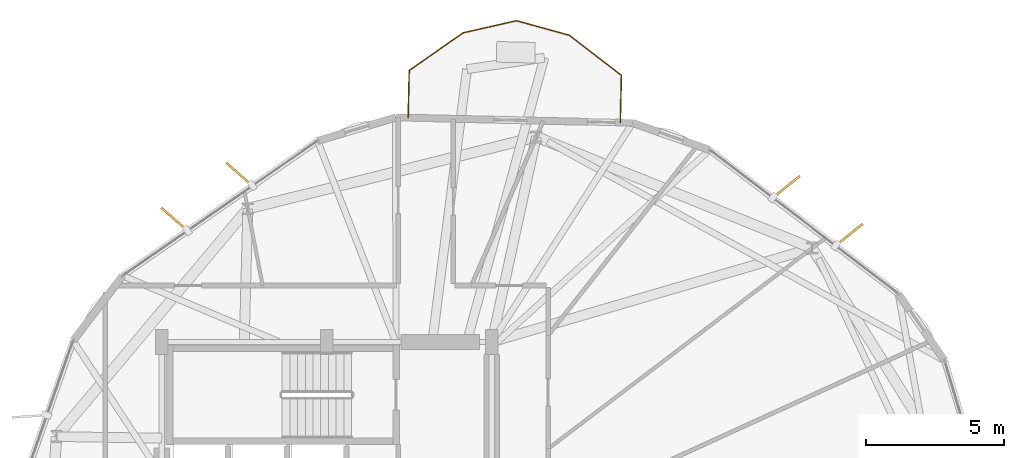
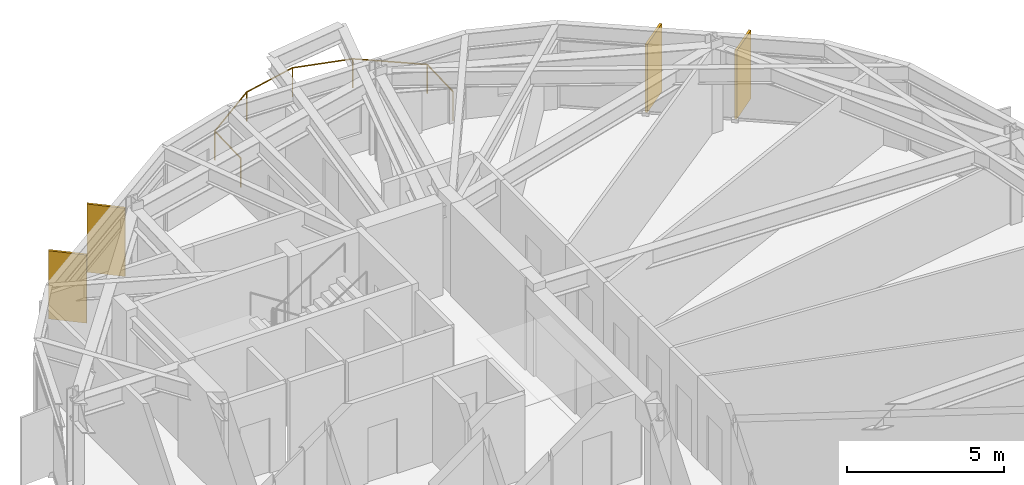
# One storey, part 22 of 22: 4 shading devices, 1 railing.
"""IFC4 building model written with IfcOpenShell, lengths in metres."""

from ifc_helpers import new_model, si_unit, direction, frame, origin, origin_2d, place, context, subcontext, project, spatial, rectangle, circle, extrude, material, layer, layer_set, type_object, element, save


model = new_model("IFC4")

# Units and contexts
model_context = context("Model", 3, precision=1e-05, world=origin(), true_north=direction((0.0, 1.0)))
body_context = subcontext(model_context, "Body", "Model", "MODEL_VIEW")
ifc_project = project(units=[si_unit("LENGTHUNIT", "METRE"), si_unit("AREAUNIT", "SQUARE_METRE"), si_unit("VOLUMEUNIT", "CUBIC_METRE"), si_unit("PLANEANGLEUNIT", "RADIAN"), si_unit("MASSUNIT", "GRAM", prefix="KILO")], contexts=[model_context])

# Site, building, storey
site_placement = place(None, origin())
site = spatial("IfcSite", under=ifc_project, at=site_placement, CompositionType="ELEMENT")
building_placement = place(site_placement, origin())
building = spatial("IfcBuilding", under=site, at=building_placement, Name="Soratama Intermodal Tower", CompositionType="ELEMENT")
storey_placement = place(building_placement, frame((0.0, 0.0, 160.60009765625)))
storey = spatial("IfcBuildingStorey", under=building, at=storey_placement, Name="L39", CompositionType="ELEMENT", Elevation=160.60009765625)

# Railing
ifc_material_1 = material(Name="Laminated glass and stainless steel balustrade", Category="steel")
railing_type = type_object("IfcRailingType", Name="RL-BAL-1150", PredefinedType="BALUSTRADE", material=ifc_material_1)
railing_placement = place(storey_placement, frame((41.556396484375, 43.151123046875, 0.0)))
element("IfcRailing", 1, at=railing_placement, inside=storey, type_object=railing_type, Name="L39 Balcony Balustrade 1", PredefinedType="BALUSTRADE", context=body_context, shape_type="SweptSolid", body=[
    extrude(circle(Radius=0.02392578125, at=origin_2d()), frame((0.0, 0.0, 1.1259765625), z_axis=(0.023134068225, 0.999732371631, 0.0), x_axis=(-0.999732371631, 0.023134068225, 0.0)), (0.0, 0.0, 1.0), 1.72021484375),
    extrude(circle(Radius=0.02392578125, at=origin_2d()), frame((0.039794921875, 1.7197265625, 1.1259765625), z_axis=(0.819883101837, 0.57253095927, 0.0), x_axis=(-0.57253095927, 0.819883101837, 0.0)), (0.0, 0.0, 1.0), 2.3935546875),
    extrude(circle(Radius=0.02392578125, at=origin_2d()), frame((2.002197265625, 3.090087890625, 1.1259765625), z_axis=(0.975233975684, 0.221175705429, 0.0), x_axis=(-0.221175705429, 0.975233975684, 0.0)), (0.0, 0.0, 1.0), 1.990234375),
    extrude(circle(Radius=0.02392578125, at=origin_2d()), frame((3.943115234375, 3.5302734375, 1.1259765625), z_axis=(0.963992618206, -0.265928998126, 0.0), x_axis=(0.265928998126, 0.963992618206, 0.0)), (0.0, 0.0, 1.0), 1.990478515625),
    extrude(circle(Radius=0.02392578125, at=origin_2d()), frame((5.86181640625, 3.0009765625, 1.1259765625), z_axis=(0.792658114951, -0.60966639468, 0.0), x_axis=(0.60966639468, 0.792658114951, 0.0)), (0.0, 0.0, 1.0), 2.3935546875),
    extrude(circle(Radius=0.02392578125, at=origin_2d()), frame((7.759033203125, 1.541748046875, 1.1259765625), z_axis=(-0.022995479508, -0.999735568999, 0.0), x_axis=(0.999735568999, -0.022995479508, 0.0)), (0.0, 0.0, 1.0), 1.719970703125),
    extrude(circle(Radius=0.02099609375, at=origin_2d()), origin(), (0.0, 0.0, 1.0), 1.101806640625),
    extrude(circle(Radius=0.02099609375, at=origin_2d()), frame((0.039794921875, 1.7197265625, 0.0)), (0.0, 0.0, 1.0), 1.101806640625),
    extrude(circle(Radius=0.02099609375, at=origin_2d()), frame((2.002197265625, 3.090087890625, 0.0)), (0.0, 0.0, 1.0), 1.101806640625),
    extrude(circle(Radius=0.02099609375, at=origin_2d()), frame((3.943115234375, 3.5302734375, 0.0)), (0.0, 0.0, 1.0), 1.101806640625),
    extrude(circle(Radius=0.02099609375, at=origin_2d()), frame((5.86181640625, 3.0009765625, 0.0)), (0.0, 0.0, 1.0), 1.101806640625),
    extrude(circle(Radius=0.02099609375, at=origin_2d()), frame((7.759033203125, 1.541748046875, 0.0)), (0.0, 0.0, 1.0), 1.101806640625),
    extrude(circle(Radius=0.02099609375, at=origin_2d()), frame((7.719482421875, -0.177734375, 0.0)), (0.0, 0.0, 1.0), 1.101806640625),
])

# Shading devices
ifc_material_2 = material(Name="Champagne anodised aluminium solar fin", Category="aluminium")
ifc_layer = layer(ifc_material_2, 0.080078125)
ifc_layer_set = layer_set([ifc_layer], Name="Champagne anodised aluminium solar fin")
shading_device_type = type_object("IfcShadingDeviceType", Name="SH-FIN-1250", PredefinedType="USERDEFINED", material=ifc_layer_set)
for number, where, z_axis, x_axis, name in (
    (2, (57.6005859375, 38.899169921875, 0.02001953125), (0.0, 0.0, 1.0), (0.781847027868, 0.623470308046, 0.0), "L39 Solar Fin F01-1"),
    (3, (55.315185546875, 40.641357421875, 0.02001953125), (0.0, 0.0, 1.0), (0.781847027868, 0.623470308046, 0.0), "L39 Solar Fin F01-2"),
    (4, (35.41650390625, 41.099853515625, 0.02001953125), (0.0, 0.0, 1.0), (-0.752299934438, 0.658820771261, 0.0), "L39 Solar Fin F03-1"),
    (5, (33.052978515625, 39.464599609375, 0.02001953125), (0.0, 0.0, 1.0), (-0.752299934438, 0.658820771261, 0.0), "L39 Solar Fin F03-2"),
):
    element("IfcShadingDevice", number, at=place(storey_placement, frame(where, z_axis=z_axis, x_axis=x_axis)), inside=storey, type_object=shading_device_type, Name=name, ObjectType="FIN", PredefinedType="USERDEFINED", context=body_context, shape_type="SweptSolid", body=[
        extrude(rectangle(XDim=1.25, YDim=0.080078125, at=origin_2d()), origin(), (0.0, 0.0, 1.0), 2.658935546875),
    ])

save(model, "model.ifc")
